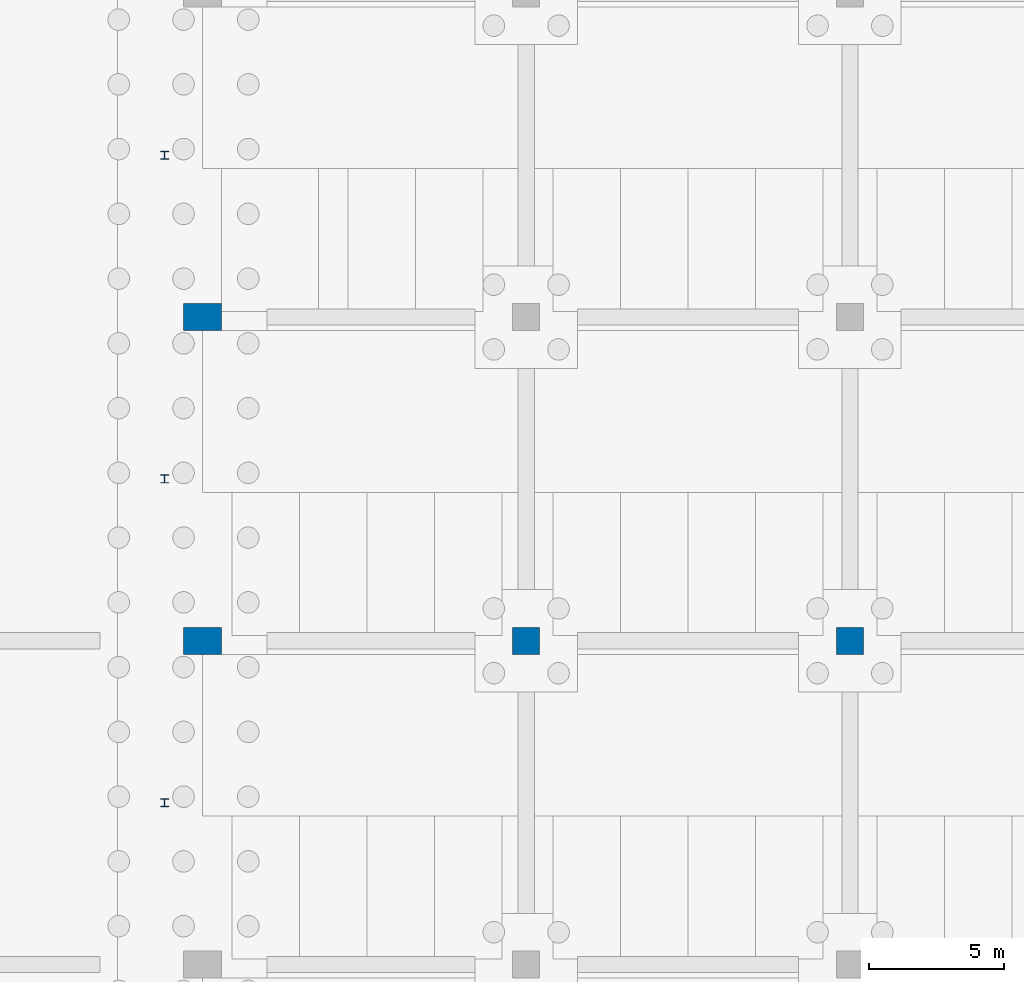
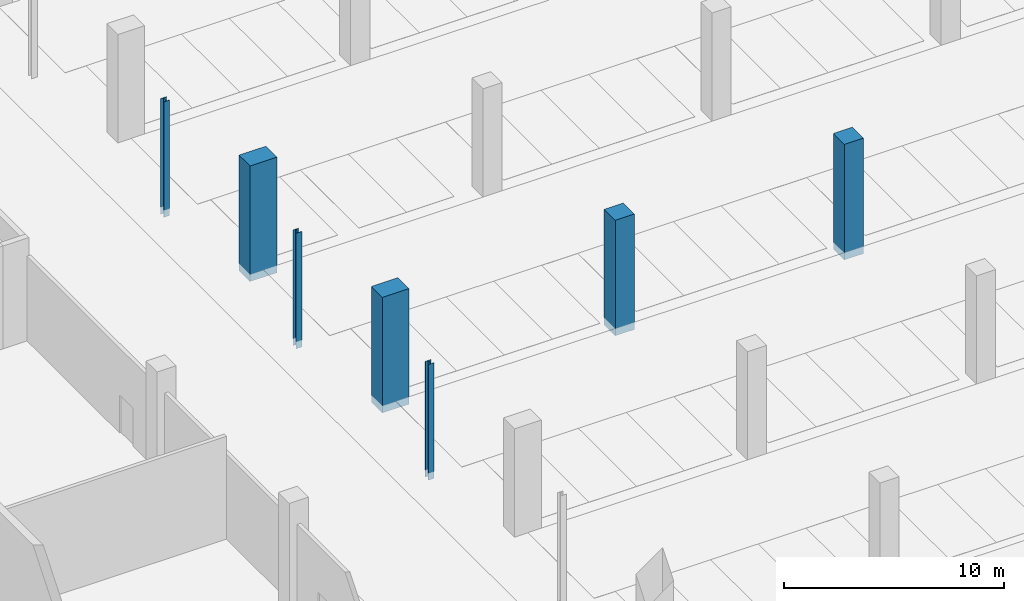
# One storey, part 9 of 34: 7 columns.
"""IFC4 building model written with IfcOpenShell, lengths in metres."""

from ifc_helpers import new_model, si_unit, direction, frame, origin, origin_2d, place, context, subcontext, project, spatial, rectangle, i_section, extrude, material, material_profile, profile_set, type_object, element, save


model = new_model("IFC4")

# Units and contexts
model_context = context("Model", 3, precision=1e-05, world=origin(), true_north=direction((0.0, 1.0)))
body_context = subcontext(model_context, "Body", "Model", "MODEL_VIEW")
ifc_project = project(units=[si_unit("LENGTHUNIT", "METRE"), si_unit("AREAUNIT", "SQUARE_METRE"), si_unit("VOLUMEUNIT", "CUBIC_METRE"), si_unit("PLANEANGLEUNIT", "RADIAN"), si_unit("MASSUNIT", "GRAM", prefix="KILO")], contexts=[model_context])

# Site, building, storey
site_placement = place(None, origin())
site = spatial("IfcSite", under=ifc_project, at=site_placement, CompositionType="ELEMENT")
building_placement = place(site_placement, origin())
building = spatial("IfcBuilding", under=site, at=building_placement, Name="Lilac Gate Convention Centre", CompositionType="ELEMENT")
storey_placement = place(building_placement, frame((0.0, 0.0, -6.0)))
storey = spatial("IfcBuildingStorey", under=building, at=storey_placement, Name="B1", CompositionType="ELEMENT", Elevation=-6.0)

# Columns
ifc_material_1 = material(Name="Concrete C40", Category="concrete")
ifc_material_profile_1 = material_profile(ifc_material_1, rectangle(XDim=1.0, YDim=1.0, at=origin_2d()), Name="RC 1000x1000")
ifc_profile_set_1 = profile_set([ifc_material_profile_1], Name="Concrete C40")
column_type_1 = type_object("IfcColumnType", Name="RC column 1000x1000 C40", PredefinedType="COLUMN", material=ifc_profile_set_1)
for number, where, z_axis, x_axis, name in (
    (1, (42.0, 138.0, -0.39990234375), (0.0, 0.0, 1.0), (1.0, 0.0, 0.0), "C1 B1 at 4/K"),
    (2, (54.0, 138.0, -0.39990234375), (0.0, 0.0, 1.0), (1.0, 0.0, 0.0), "C1 B1 at 5/K"),
):
    element("IfcColumn", number, at=place(storey_placement, frame(where, z_axis=z_axis, x_axis=x_axis)), inside=storey, type_object=column_type_1, Name=name, PredefinedType="COLUMN", context=body_context, shape_type="SweptSolid", body=[
        extrude(rectangle(XDim=1.0, YDim=1.0, at=origin_2d()), origin(), (0.0, 0.0, 1.0), 6.39990234375),
    ])
ifc_material_profile_2 = material_profile(ifc_material_1, rectangle(XDim=1.39990234375, YDim=1.0, at=origin_2d()), Name="RC 1400x1000")
ifc_profile_set_2 = profile_set([ifc_material_profile_2], Name="Concrete C40")
column_type_2 = type_object("IfcColumnType", Name="RC hall column 1400x1000 C40", PredefinedType="COLUMN", material=ifc_profile_set_2)
for number, where, z_axis, x_axis, name in (
    (3, (30.0, 138.0, -0.39990234375), (0.0, 0.0, 1.0), (1.0, 0.0, 0.0), "C2 B1 at 3/K"),
    (4, (30.0, 150.0, -0.39990234375), (0.0, 0.0, 1.0), (1.0, 0.0, 0.0), "C2 B1 at 3/L"),
):
    element("IfcColumn", number, at=place(storey_placement, frame(where, z_axis=z_axis, x_axis=x_axis)), inside=storey, type_object=column_type_2, Name=name, PredefinedType="COLUMN", context=body_context, shape_type="SweptSolid", body=[
        extrude(rectangle(XDim=1.39990234375, YDim=1.0, at=origin_2d()), origin(), (0.0, 0.0, 1.0), 6.39990234375),
    ])
ifc_material_2 = material(Name="Steel Q355B", Category="steel")
ifc_material_profile_3 = material_profile(ifc_material_2, i_section(OverallWidth=0.300048828125, OverallDepth=0.300048828125, WebThickness=0.010009765625, FlangeThickness=0.014892578125, FilletRadius=0.012939453125, at=origin_2d()), Name="HW300x300x10x15")
ifc_profile_set_3 = profile_set([ifc_material_profile_3], Name="Steel Q355B")
column_type_3 = type_object("IfcColumnType", Name="Steel column HW300x300x10x15", PredefinedType="COLUMN", material=ifc_profile_set_3)
for number, where, z_axis, x_axis, name in (
    (5, (28.60009765625, 132.0, -0.39990234375), (0.0, 0.0, 1.0), (1.0, 0.0, 0.0), "SC1 B1 atrium column at 132"),
    (6, (28.60009765625, 144.0, -0.39990234375), (0.0, 0.0, 1.0), (1.0, 0.0, 0.0), "SC1 B1 atrium column at 144"),
    (7, (28.60009765625, 156.0, -0.39990234375), (0.0, 0.0, 1.0), (1.0, 0.0, 0.0), "SC1 B1 atrium column at 156"),
):
    element("IfcColumn", number, at=place(storey_placement, frame(where, z_axis=z_axis, x_axis=x_axis)), inside=storey, type_object=column_type_3, Name=name, PredefinedType="COLUMN", context=body_context, shape_type="SweptSolid", body=[
        extrude(i_section(OverallWidth=0.300048828125, OverallDepth=0.300048828125, WebThickness=0.010009765625, FlangeThickness=0.014892578125, FilletRadius=0.012939453125, at=origin_2d()), origin(), (0.0, 0.0, 1.0), 6.39990234375),
    ])

save(model, "model.ifc")
